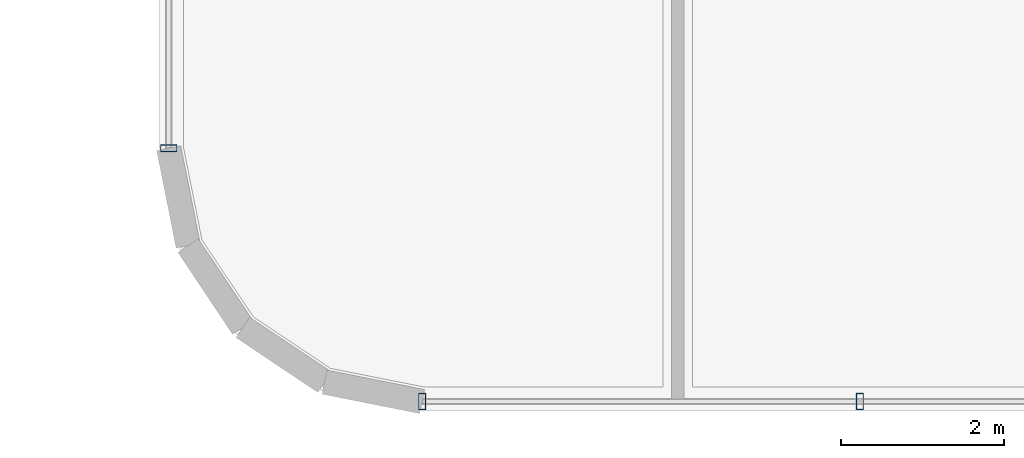
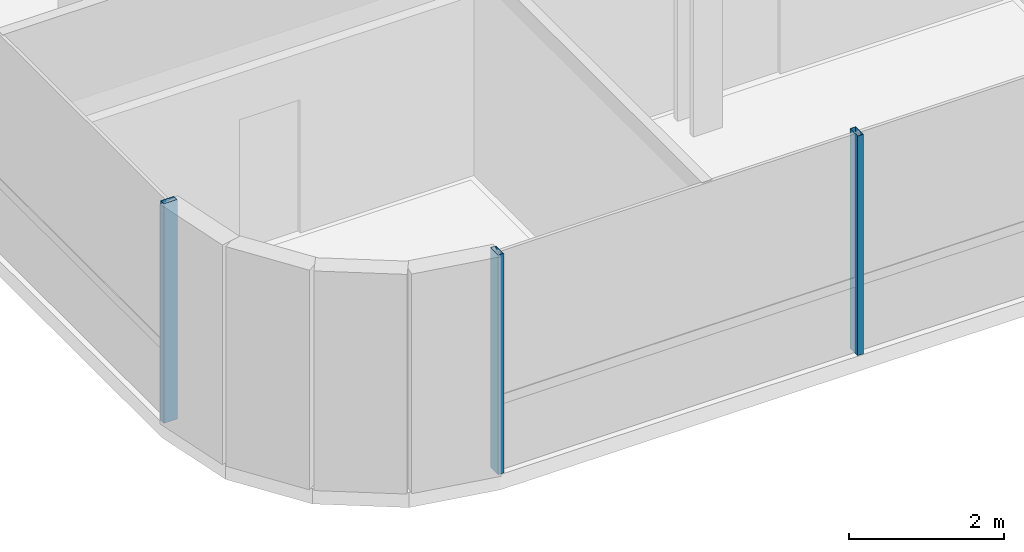
# One storey, part 2 of 41: 3 members, 2 elements without a shape of their own.
"""IFC4 building model written with IfcOpenShell, lengths in metres."""

import ifcopenshell
import ifcopenshell.guid

model = None  # the IFC model being written
_history = None  # IfcOwnerHistory: only IFC2X3 demands one
_inside = {}  # id of a spatial element -> (the spatial element, [elements in it])
_under = {}  # id of a project, library or spatial element -> (it, [spatial elements below it])
_declared = {}  # id of a project -> (the project, [libraries it declares])
_typed = {}  # id of a type object -> (the type object, [elements of that type])
_made_of = {}  # id of a material, layer set ... -> (it, [elements and type objects made of it])


def new_model(schema):
    """Start an empty IFC model of exactly this schema.

    Asked for "IFC4X3", IfcOpenShell would pick the latest addendum, in which some entities
    have other attributes; the version numbers below select the first issue.
    IFC2X3 requires an IfcOwnerHistory on every rooted entity: one is made here for all.
    """
    global model, _history
    if schema == "IFC4X3":
        model = ifcopenshell.file(schema_version=(4, 3, 0, 0))
    else:
        model = ifcopenshell.file(schema=schema)
    _inside.clear()
    _under.clear()
    _declared.clear()
    _typed.clear()
    _made_of.clear()
    _history = None
    if model.schema == "IFC2X3":
        org = make("IfcOrganization", Name="unknown")
        user = make(
            "IfcPersonAndOrganization",
            ThePerson=make("IfcPerson", FamilyName="unknown"),
            TheOrganization=org,
        )
        app = make(
            "IfcApplication",
            ApplicationDeveloper=org,
            Version="unknown",
            ApplicationFullName="unknown",
            ApplicationIdentifier="unknown",
        )
        _history = make(
            "IfcOwnerHistory",
            OwningUser=user,
            OwningApplication=app,
            ChangeAction="ADDED",
            CreationDate=0,
        )
    return model


def make(cls, **values):
    """One entity of the class cls with the attributes given. An attribute that is None is left unset."""
    return model.create_entity(
        cls, **{name: value for name, value in values.items() if value is not None}
    )


def rooted(cls, **values):
    """An entity with a GlobalId (a new one), such as an element, a storey or a relation."""
    return make(cls, GlobalId=ifcopenshell.guid.new(), OwnerHistory=_history, **values)


def si_unit(unit_type, name, prefix=None):
    """IfcSIUnit, for example si_unit("LENGTHUNIT", "METRE", prefix="MILLI")."""
    return make("IfcSIUnit", UnitType=unit_type, Prefix=prefix, Name=name)


def assignment(units):
    """IfcUnitAssignment: the units of a project."""
    return None if units is None else make("IfcUnitAssignment", Units=units)


def point(xyz):
    """IfcCartesianPoint."""
    return None if xyz is None else make("IfcCartesianPoint", Coordinates=xyz)


def direction(xyz):
    """IfcDirection."""
    return None if xyz is None else make("IfcDirection", DirectionRatios=xyz)


def frame(location, z_axis=None, x_axis=None):
    """IfcAxis2Placement3D, a coordinate frame: its origin and axes. An axis left out is left unset."""
    return make(
        "IfcAxis2Placement3D",
        Location=point(location),
        Axis=direction(z_axis),
        RefDirection=direction(x_axis),
    )


def frame_2d(location, x_axis=None):
    """IfcAxis2Placement2D, a coordinate frame in the plane: its origin and x axis."""
    return make(
        "IfcAxis2Placement2D", Location=point(location), RefDirection=direction(x_axis)
    )


def origin():
    """The frame at (0, 0, 0) with its axes left unset."""
    return frame((0.0, 0.0, 0.0))


def origin_2d():
    """The frame at (0, 0) in the plane with its x axis left unset."""
    return frame_2d((0.0, 0.0))


def place(relative_to, where):
    """IfcLocalPlacement: puts the frame where relative to a parent placement (None: the world)."""
    return make(
        "IfcLocalPlacement", PlacementRelTo=relative_to, RelativePlacement=where
    )


def context(
    kind, dimensions, precision=None, world=None, true_north=None, identifier=None
):
    """IfcGeometricRepresentationContext, for example the 3D "Model" context."""
    return make(
        "IfcGeometricRepresentationContext",
        ContextIdentifier=identifier,
        ContextType=kind,
        CoordinateSpaceDimension=dimensions,
        Precision=precision,
        WorldCoordinateSystem=world,
        TrueNorth=true_north,
    )


def subcontext(parent, identifier, kind, view, scale=None):
    """IfcGeometricRepresentationSubContext, for example "Body" below "Model"."""
    return make(
        "IfcGeometricRepresentationSubContext",
        ContextIdentifier=identifier,
        ContextType=kind,
        ParentContext=parent,
        TargetScale=scale,
        TargetView=view,
    )


def project(units=None, contexts=None):
    """IfcProject with its units and contexts."""
    return rooted(
        "IfcProject",
        Name="project",
        RepresentationContexts=contexts,
        UnitsInContext=assignment(units),
    )


def spatial(cls, under=None, at=None, **own):
    """A site, building, storey or space (cls), placed at a placement, below another one or the project."""
    s = rooted(cls, ObjectPlacement=at, **own)
    if under is not None:
        _under.setdefault(under.id(), (under, []))[1].append(s)
    return s


def profile(cls, at=None, kind="AREA", **sizes):
    """A parametric profile (cls). Its sizes go by their IFC names, for example OverallWidth=200.0."""
    return make(cls, ProfileType=kind, Position=at, **sizes)


def hollow_rectangle(**sizes):
    """IfcRectangleHollowProfileDef."""
    return profile("IfcRectangleHollowProfileDef", **sizes)


def extrude(swept, where, along, depth):
    """IfcExtrudedAreaSolid: the profile swept, set in the frame where, extruded along a direction by depth."""
    return make(
        "IfcExtrudedAreaSolid",
        SweptArea=swept,
        Position=where,
        ExtrudedDirection=direction(along),
        Depth=depth,
    )


def shape(context_of_items, identifier, shape_type, items):
    """IfcShapeRepresentation: the items that make up one representation, for example the "Body"."""
    return make(
        "IfcShapeRepresentation",
        ContextOfItems=context_of_items,
        RepresentationIdentifier=identifier,
        RepresentationType=shape_type,
        Items=items,
    )


def source(mapping_origin, context_of_items, identifier, shape_type, items):
    """IfcRepresentationMap: a shape defined once, which mapped items show again and again."""
    return make(
        "IfcRepresentationMap",
        MappingOrigin=mapping_origin,
        MappedRepresentation=shape(context_of_items, identifier, shape_type, items),
    )


def transform(
    local_origin,
    x_axis=None,
    y_axis=None,
    z_axis=None,
    scale=None,
    scale2=None,
    scale3=None,
    uniform=True,
):
    """IfcCartesianTransformationOperator3D, or its non-uniform kind. x_axis, y_axis, z_axis: its Axis1, 2, 3."""
    if uniform:
        return make(
            "IfcCartesianTransformationOperator3D",
            Axis1=direction(x_axis),
            Axis2=direction(y_axis),
            LocalOrigin=point(local_origin),
            Scale=scale,
            Axis3=direction(z_axis),
        )
    return make(
        "IfcCartesianTransformationOperator3DnonUniform",
        Axis1=direction(x_axis),
        Axis2=direction(y_axis),
        LocalOrigin=point(local_origin),
        Scale=scale,
        Axis3=direction(z_axis),
        Scale2=scale2,
        Scale3=scale3,
    )


def mapped(mapping_source, mapping_target):
    """IfcMappedItem: shows the shape of a source again, moved by a transform."""
    return make(
        "IfcMappedItem", MappingSource=mapping_source, MappingTarget=mapping_target
    )


def material(Name=None, Category=None):
    """IfcMaterial."""
    return make("IfcMaterial", Name=Name, Category=Category)


def material_profile(
    of_material, cross_section, Name=None, Category=None, Priority=None
):
    """IfcMaterialProfile: a cross section and its material."""
    return make(
        "IfcMaterialProfile",
        Name=Name,
        Material=of_material,
        Profile=cross_section,
        Priority=Priority,
        Category=Category,
    )


def profile_set(profiles, Name=None, composite=None):
    """IfcMaterialProfileSet."""
    return make(
        "IfcMaterialProfileSet",
        Name=Name,
        MaterialProfiles=profiles,
        CompositeProfile=composite,
    )


def made_of(thing, what):
    """Note that an element or type object is made of a material, layer set ...; save() writes the relation."""
    if what is not None:
        _made_of.setdefault(what.id(), (what, []))[1].append(thing)
    return thing


def type_object(cls, material=None, **own):
    """A type object (cls), such as IfcWallType, which elements share."""
    return made_of(rooted(cls, **own), material)


def element(
    cls,
    number,
    at=None,
    inside=None,
    cuts=None,
    type_object=None,
    material=None,
    context=None,
    identifier="Body",
    shape_type=None,
    held_by="IfcProductDefinitionShape",
    body=None,
    shapes=None,
    **own,
):
    """One element of the class cls, such as IfcWall. Its Tag is "e" and its number.

    at: its placement. inside: the storey or other place that contains it. cuts: it is an
    opening in that element (IfcRelVoidsElement). A single representation is given by context,
    identifier, shape_type and body (its items); several are given by shapes. held_by: the class
    of the entity that holds the representations. save() writes the other relations.
    """
    e = rooted(cls, Tag="e%d" % number, ObjectPlacement=at, **own)
    if body is not None:
        shapes = [shape(context, identifier, shape_type, body)]
    if shapes is not None:
        e.Representation = make(held_by, Representations=shapes)
    if inside is not None:
        _inside.setdefault(inside.id(), (inside, []))[1].append(e)
    if cuts is not None:
        rooted(
            "IfcRelVoidsElement", RelatingBuildingElement=cuts, RelatedOpeningElement=e
        )
    if type_object is not None:
        _typed.setdefault(type_object.id(), (type_object, []))[1].append(e)
    return made_of(e, material)


def aggregate(whole, parts):
    """IfcRelAggregates: a whole, such as a stair, and the parts it consists of."""
    return rooted("IfcRelAggregates", RelatingObject=whole, RelatedObjects=parts)


def save(model, path):
    """Write the relations noted so far, then the file.

    IfcRelAggregates (storeys below a building ...), IfcRelContainedInSpatialStructure (elements
    in a storey), IfcRelDefinesByType, IfcRelAssociatesMaterial and IfcRelDeclares: one each for
    every whole, place, type object, material and project.
    """
    for whole, parts in _under.values():
        aggregate(whole, parts)
    for where, things in _inside.values():
        rooted(
            "IfcRelContainedInSpatialStructure",
            RelatedElements=things,
            RelatingStructure=where,
        )
    for kind, things in _typed.values():
        rooted("IfcRelDefinesByType", RelatedObjects=things, RelatingType=kind)
    for what, things in _made_of.values():
        rooted("IfcRelAssociatesMaterial", RelatedObjects=things, RelatingMaterial=what)
    for by, libraries in _declared.values():
        rooted("IfcRelDeclares", RelatingContext=by, RelatedDefinitions=libraries)
    model.write(path)


model = new_model("IFC4")

# Units and contexts
model_context = context("Model", 3, precision=1e-05, world=origin(), true_north=direction((0.0, 1.0)))
body_context = subcontext(model_context, "Body", "Model", "MODEL_VIEW")
ifc_project = project(units=[si_unit("LENGTHUNIT", "METRE"), si_unit("AREAUNIT", "SQUARE_METRE"), si_unit("VOLUMEUNIT", "CUBIC_METRE"), si_unit("PLANEANGLEUNIT", "RADIAN"), si_unit("MASSUNIT", "GRAM", prefix="KILO")], contexts=[model_context])

# Site, building, storey
site_placement = place(None, origin())
site = spatial("IfcSite", under=ifc_project, at=site_placement, CompositionType="ELEMENT")
building_placement = place(site_placement, origin())
building = spatial("IfcBuilding", under=site, at=building_placement, Name="Valdorenza Pilgrim Sanctuary Tower", CompositionType="ELEMENT")
storey_placement = place(building_placement, frame((0.0, 0.0, 88.89990234375)))
storey = spatial("IfcBuildingStorey", under=building, at=storey_placement, Name="L22", CompositionType="ELEMENT", Elevation=88.89990234375)

# Curtain wall, member
ifc_material_1 = material(Name="Curtain-wall IGU glazing", Category="glass")
curtain_wall_type = type_object("IfcCurtainWallType", Name="CW-SYS-02", PredefinedType="NOTDEFINED", material=ifc_material_1)
curtain_wall_1_placement = place(storey_placement, origin())
curtain_wall_1 = element("IfcCurtainWall", 1, at=curtain_wall_1_placement, inside=storey, type_object=curtain_wall_type, Name="L22 Curtain Wall CW-L22-1-1S1", PredefinedType="NOTDEFINED")
ifc_material_2 = material(Name="Anodised aluminium AW-6060", Category="aluminium")
ifc_material_profile = material_profile(ifc_material_2, hollow_rectangle(XDim=0.0849609375, YDim=0.199951171875, WallThickness=0.0048828125, at=origin_2d()), Name="ALU-M 200x85x5")
ifc_profile_set = profile_set([ifc_material_profile], Name="Anodised aluminium AW-6060")
member_type = type_object("IfcMemberType", Name="CW-MUL-02", PredefinedType="MULLION", material=ifc_profile_set)
shared_shape = source(origin(), body_context, "Body", "SweptSolid", [
    extrude(hollow_rectangle(XDim=0.0849609375, YDim=0.199951171875, WallThickness=0.0048828125, at=origin_2d()), origin(), (0.0, 0.0, 1.0), 3.460205078125),
])
member_1_placement = place(storey_placement, frame((-31.889892578125, -15.789306640625, 0.0), z_axis=(0.0, 0.0, 1.0), x_axis=(0.0, 1.0, 0.0)))
member_1 = element("IfcMember", 2, at=member_1_placement, type_object=member_type, Name="CW-L22-1-1S1 Mullion 1", PredefinedType="MULLION", context=body_context, shape_type="MappedRepresentation", body=[
    mapped(shared_shape, transform((0.0, 0.0, 0.0), x_axis=(1.0, 0.0, 0.0), y_axis=(0.0, 1.0, 0.0), z_axis=(0.0, 0.0, 1.0), scale=1.0)),
])
aggregate(curtain_wall_1, [member_1])

# Curtain wall, members
curtain_wall_2_placement = place(storey_placement, origin())
curtain_wall_2 = element("IfcCurtainWall", 3, at=curtain_wall_2_placement, inside=storey, type_object=curtain_wall_type, Name="L22 Curtain Wall CW-L22-1-46", PredefinedType="NOTDEFINED")
member_2_placement = place(storey_placement, frame((-23.4296875, -18.889892578125, 0.0), z_axis=(0.0, 0.0, 1.0), x_axis=(-1.0, 0.0, 0.0)))
member_2 = element("IfcMember", 4, at=member_2_placement, type_object=member_type, Name="CW-L22-1-46 Mullion 3", PredefinedType="MULLION", context=body_context, shape_type="MappedRepresentation", body=[
    mapped(shared_shape, transform((0.0, 0.0, 0.0), x_axis=(1.0, 0.0, 0.0), y_axis=(0.0, 1.0, 0.0), z_axis=(0.0, 0.0, 1.0), scale=1.0)),
])
member_3_placement = place(storey_placement, frame((-28.789306640625, -18.889892578125, 0.0), z_axis=(0.0, 0.0, 1.0), x_axis=(-1.0, 0.0, 0.0)))
member_3 = element("IfcMember", 5, at=member_3_placement, type_object=member_type, Name="CW-L22-1-46 Mullion 4", PredefinedType="MULLION", context=body_context, shape_type="MappedRepresentation", body=[
    mapped(shared_shape, transform((0.0, 0.0, 0.0), x_axis=(1.0, 0.0, 0.0), y_axis=(0.0, 1.0, 0.0), z_axis=(0.0, 0.0, 1.0), scale=1.0)),
])
aggregate(curtain_wall_2, [member_2, member_3])

save(model, "model.ifc")
